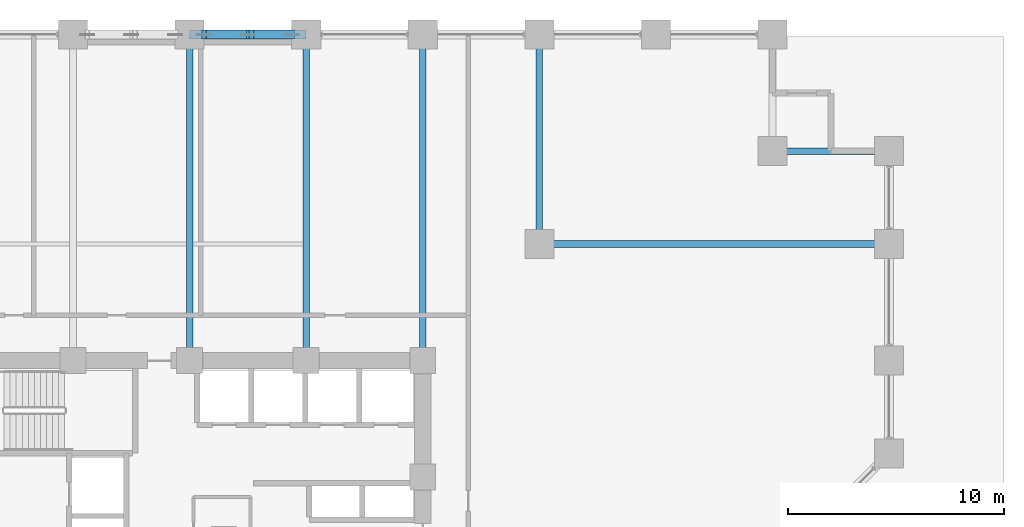
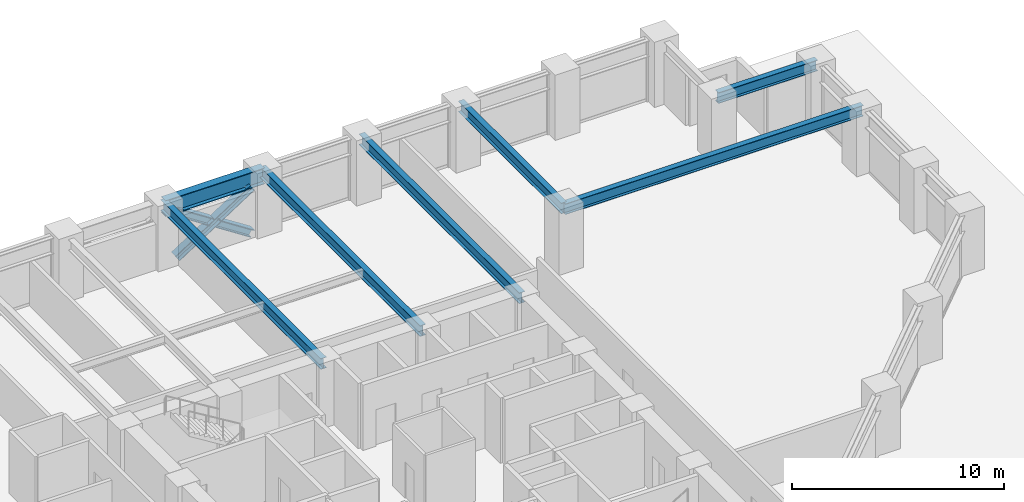
# One storey, part 14 of 27: 7 beams, 3 members.
"""IFC4 building model written with IfcOpenShell, lengths in metres."""

from ifc_helpers import new_model, si_unit, direction, frame, origin, origin_2d, place, context, subcontext, project, spatial, i_section, extrude, material, material_profile, profile_set, type_object, element, save


model = new_model("IFC4")

# Units and contexts
model_context = context("Model", 3, precision=1e-05, world=origin(), true_north=direction((0.0, 1.0)))
body_context = subcontext(model_context, "Body", "Model", "MODEL_VIEW")
ifc_project = project(units=[si_unit("LENGTHUNIT", "METRE"), si_unit("AREAUNIT", "SQUARE_METRE"), si_unit("VOLUMEUNIT", "CUBIC_METRE"), si_unit("PLANEANGLEUNIT", "RADIAN"), si_unit("MASSUNIT", "GRAM", prefix="KILO")], contexts=[model_context])

# Site, building, storey
site_placement = place(None, origin())
site = spatial("IfcSite", under=ifc_project, at=site_placement, CompositionType="ELEMENT")
building_placement = place(site_placement, origin())
building = spatial("IfcBuilding", under=site, at=building_placement, Name="Surkhivell Harbour Commons", CompositionType="ELEMENT")
storey_placement = place(building_placement, frame((0.0, 0.0, 22.5)))
storey = spatial("IfcBuildingStorey", under=building, at=storey_placement, Name="L05", CompositionType="ELEMENT", Elevation=22.5)

# Beams
ifc_material_1 = material(Name="Steel S355", Category="steel")
ifc_material_profile_1 = material_profile(ifc_material_1, i_section(OverallWidth=0.306884765625, OverallDepth=0.6201171875, WebThickness=0.01416015625, FlangeThickness=0.023681640625, at=origin_2d()), Name="UB610x305x179")
ifc_profile_set_1 = profile_set([ifc_material_profile_1], Name="Steel S355")
beam_type_1 = type_object("IfcBeamType", Name="BM-GRD-610A", PredefinedType="BEAM", material=ifc_profile_set_1)
for number, where, z_axis, x_axis, name in (
    (1, (0.0, 10.800048828125, 3.260009765625), (0.0, 1.0, 0.0), (-1.0, 0.0, 0.0), "L05 Floor Girder (0.0,10.8)"),
    (2, (5.39990234375, 10.800048828125, 3.260009765625), (0.0, 1.0, 0.0), (-1.0, 0.0, 0.0), "L05 Floor Girder (5.4,10.8)"),
    (3, (10.800048828125, 10.800048828125, 3.260009765625), (0.0, 1.0, 0.0), (-1.0, 0.0, 0.0), "L05 Floor Girder (10.8,10.8)"),
):
    element("IfcBeam", number, at=place(storey_placement, frame(where, z_axis=z_axis, x_axis=x_axis)), inside=storey, type_object=beam_type_1, Name=name, PredefinedType="BEAM", context=body_context, shape_type="SweptSolid", body=[
        extrude(i_section(OverallWidth=0.306884765625, OverallDepth=0.6201171875, WebThickness=0.01416015625, FlangeThickness=0.023681640625, at=origin_2d()), origin(), (0.0, 0.0, 1.0), 15.099853515625),
    ])
beam_1_placement = place(storey_placement, frame((16.199951171875, 16.199951171875, 3.260009765625), z_axis=(0.0, 1.0, 0.0), x_axis=(-1.0, 0.0, 0.0)))
element("IfcBeam", 4, at=beam_1_placement, inside=storey, type_object=beam_type_1, Name="L05 Floor Girder (16.2,16.2)", PredefinedType="BEAM", context=body_context, shape_type="SweptSolid", body=[
    extrude(i_section(OverallWidth=0.306884765625, OverallDepth=0.6201171875, WebThickness=0.01416015625, FlangeThickness=0.023681640625, at=origin_2d()), origin(), (0.0, 0.0, 1.0), 9.699951171875),
])
beam_2_placement = place(storey_placement, frame((16.199951171875, 16.199951171875, 3.260009765625), z_axis=(1.0, 0.0, 0.0), x_axis=(0.0, 1.0, 0.0)))
element("IfcBeam", 5, at=beam_2_placement, inside=storey, type_object=beam_type_1, Name="L05 Floor Girder (16.2,16.2)", PredefinedType="BEAM", context=body_context, shape_type="SweptSolid", body=[
    extrude(i_section(OverallWidth=0.306884765625, OverallDepth=0.6201171875, WebThickness=0.01416015625, FlangeThickness=0.023681640625, at=origin_2d()), origin(), (0.0, 0.0, 1.0), 16.199951171875),
])
beam_3_placement = place(storey_placement, frame((27.0, 20.5, 3.260009765625), z_axis=(1.0, 0.0, 0.0), x_axis=(0.0, 1.0, 0.0)))
element("IfcBeam", 6, at=beam_3_placement, inside=storey, type_object=beam_type_1, Name="L05 Floor Girder (27.0,20.5)", PredefinedType="BEAM", context=body_context, shape_type="SweptSolid", body=[
    extrude(i_section(OverallWidth=0.306884765625, OverallDepth=0.6201171875, WebThickness=0.01416015625, FlangeThickness=0.023681640625, at=origin_2d()), origin(), (0.0, 0.0, 1.0), 5.39990234375),
])
ifc_material_2 = material(Name="Steel S460", Category="steel")
ifc_material_profile_2 = material_profile(ifc_material_2, i_section(OverallWidth=0.419921875, OverallDepth=0.9208984375, WebThickness=0.021484375, FlangeThickness=0.03662109375, at=origin_2d()), Name="UB914x419x388")
ifc_profile_set_2 = profile_set([ifc_material_profile_2], Name="Steel S460")
beam_type_2 = type_object("IfcBeamType", Name="BM-SPN-914A", PredefinedType="SPANDREL", material=ifc_profile_set_2)
beam_4_placement = place(storey_placement, frame((0.0, 25.89990234375, 3.109619140625), z_axis=(1.0, 0.0, 0.0), x_axis=(0.0, 1.0, 0.0)))
element("IfcBeam", 7, at=beam_4_placement, inside=storey, type_object=beam_type_2, Name="L05 Tube Spandrel (-0.0,25.9)", PredefinedType="SPANDREL", context=body_context, shape_type="SweptSolid", body=[
    extrude(i_section(OverallWidth=0.419921875, OverallDepth=0.9208984375, WebThickness=0.021484375, FlangeThickness=0.03662109375, at=origin_2d()), origin(), (0.0, 0.0, 1.0), 5.39990234375),
])

# Members
ifc_material_profile_3 = material_profile(ifc_material_2, i_section(OverallWidth=0.406005859375, OverallDepth=0.416015625, WebThickness=0.026611328125, FlangeThickness=0.0390625, at=origin_2d()), Name="HD400x382")
ifc_profile_set_3 = profile_set([ifc_material_profile_3], Name="Steel S460")
member_type = type_object("IfcMemberType", Name="MEM-BRC-HD382", PredefinedType="BRACE", material=ifc_profile_set_3)
member_1_placement = place(storey_placement, frame((0.659912109375, 25.89990234375, 0.008056640625), z_axis=(0.83910375559, 0.0, 0.543971403067), x_axis=(0.0, 1.0, 0.0)))
element("IfcMember", 8, at=member_1_placement, inside=storey, type_object=member_type, Name="L05 Perimeter Mega-Brace MB- 04", PredefinedType="BRACE", context=body_context, shape_type="SweptSolid", body=[
    extrude(i_section(OverallWidth=0.406005859375, OverallDepth=0.416015625, WebThickness=0.026611328125, FlangeThickness=0.0390625, at=origin_2d()), origin(), (0.0, 0.0, 1.0), 4.8623046875),
])
member_2_placement = place(storey_placement, frame((4.739990234375, 25.89990234375, 0.008056640625), z_axis=(-0.83908547242, 0.0, 0.543999604756), x_axis=(0.0, -1.0, 0.0)))
element("IfcMember", 9, at=member_2_placement, inside=storey, type_object=member_type, Name="L05 Perimeter Mega-Brace MB- 05", PredefinedType="BRACE", context=body_context, shape_type="SweptSolid", body=[
    extrude(i_section(OverallWidth=0.406005859375, OverallDepth=0.416015625, WebThickness=0.026611328125, FlangeThickness=0.0390625, at=origin_2d()), origin(), (0.0, 0.0, 1.0), 2.2314453125),
])
member_3_placement = place(storey_placement, frame((2.532470703125, 25.89990234375, 1.439208984375), z_axis=(-0.839117847051, 0.0, 0.54394966565), x_axis=(0.0, -1.0, 0.0)))
element("IfcMember", 10, at=member_3_placement, inside=storey, type_object=member_type, Name="L05 Perimeter Mega-Brace MB- 06", PredefinedType="BRACE", context=body_context, shape_type="SweptSolid", body=[
    extrude(i_section(OverallWidth=0.406005859375, OverallDepth=0.416015625, WebThickness=0.026611328125, FlangeThickness=0.0390625, at=origin_2d()), origin(), (0.0, 0.0, 1.0), 2.231689453125),
])

save(model, "model.ifc")
